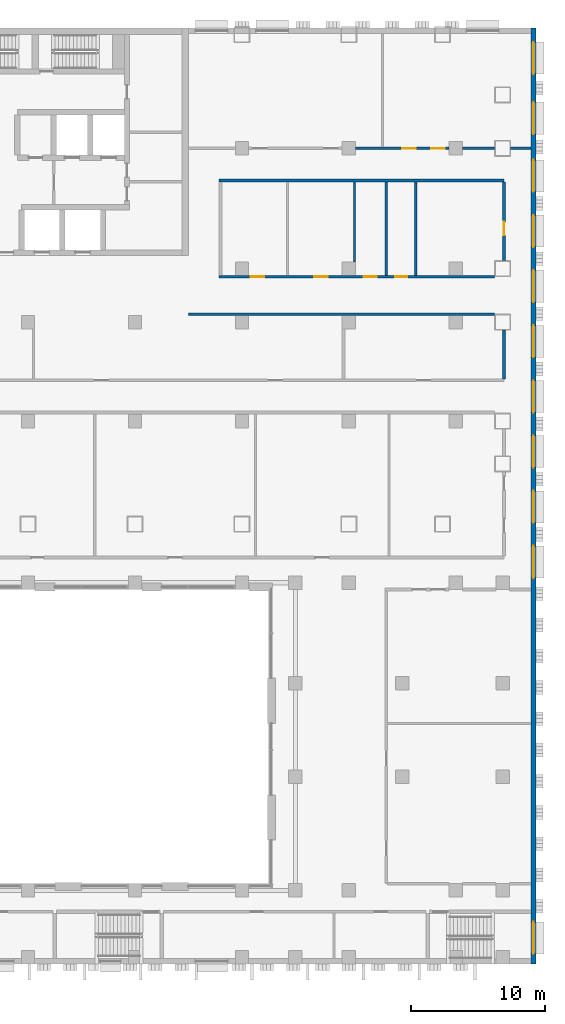
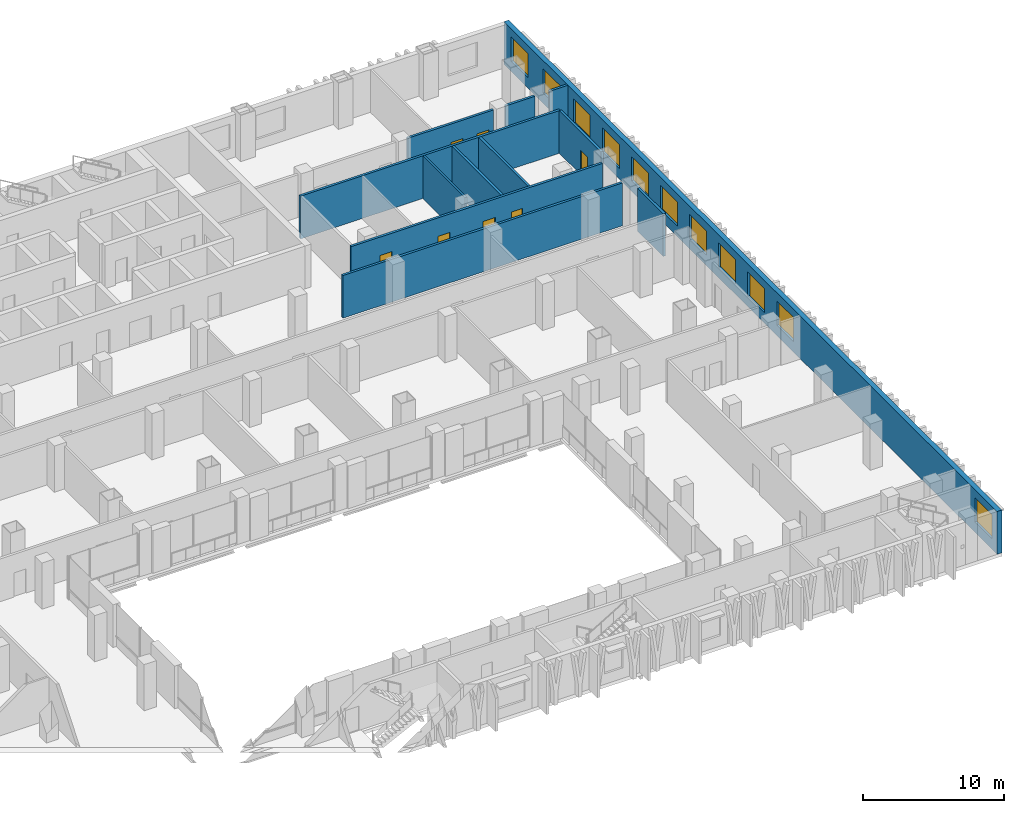
# One storey, part 15 of 25: 12 walls, 11 windows, 7 doors, 18 openings.
"""IFC4 building model written with IfcOpenShell, lengths in metres."""

from ifc_helpers import new_model, si_unit, direction, frame, frame_2d, origin, place, context, subcontext, project, spatial, rectangle, extrude, material, layer, layer_set, type_object, element, fill, save


model = new_model("IFC4")

# Units and contexts
model_context = context("Model", 3, precision=1e-05, world=origin(), true_north=direction((0.0, 1.0)))
body_context = subcontext(model_context, "Body", "Model", "MODEL_VIEW")
ifc_project = project(units=[si_unit("LENGTHUNIT", "METRE"), si_unit("AREAUNIT", "SQUARE_METRE"), si_unit("VOLUMEUNIT", "CUBIC_METRE"), si_unit("PLANEANGLEUNIT", "RADIAN"), si_unit("MASSUNIT", "GRAM", prefix="KILO")], contexts=[model_context])

# Site, building, storey
site_placement = place(None, origin())
site = spatial("IfcSite", under=ifc_project, at=site_placement, CompositionType="ELEMENT")
building_placement = place(site_placement, origin())
building = spatial("IfcBuilding", under=site, at=building_placement, Name="Vidyagriha Tower", CompositionType="ELEMENT")
storey_placement = place(building_placement, frame((0.0, 0.0, 14.0)))
storey = spatial("IfcBuildingStorey", under=building, at=storey_placement, Name="L03", CompositionType="ELEMENT", Elevation=14.0)

# Wall, openings, windows
ifc_material_1 = material(Name="Concrete C40/50 board-marked with brick facing", Category="concrete")
ifc_layer_1 = layer(ifc_material_1, 0.39990234375)
ifc_layer_set_1 = layer_set([ifc_layer_1], Name="Concrete C40/50 board-marked with brick facing")
wall_type_1 = type_object("IfcWallType", Name="Brick-faced board-marked concrete podium wall 400", PredefinedType="STANDARD", material=ifc_layer_set_1)
wall_1_placement = place(storey_placement, frame((39.800048828125, -50.0, 0.0), z_axis=(0.0, 0.0, 1.0), x_axis=(0.0, 1.0, 0.0)))
wall_1 = element("IfcWall", 1, at=wall_1_placement, inside=storey, type_object=wall_type_1, Name="Podium wall L03 R01", PredefinedType="STANDARD", context=body_context, shape_type="SweptSolid", body=[
    extrude(rectangle(XDim=70.0, YDim=0.39990234375, at=frame_2d((35.0, 0.0))), origin(), (0.0, 0.0, 1.0), 3.699951171875),
])
opening_1_placement = place(wall_1_placement, frame((0.75, 0.0, 0.89990234375)))
opening_1 = element("IfcOpeningElement", 2, at=opening_1_placement, cuts=wall_1, Name="Opening WN3", PredefinedType="OPENING", context=body_context, shape_type="SweptSolid", body=[
    extrude(rectangle(XDim=2.39990234375, YDim=2.10009765625, at=frame_2d((1.199951171875, 1.050048828125))), frame((0.0, 0.2099609375, 0.0), z_axis=(0.0, -1.0, 0.0), x_axis=(1.0, 0.0, 0.0)), (0.0, 0.0, 1.0), 0.419921875),
])
opening_2_placement = place(wall_1_placement, frame((28.862548828125, 0.0, 0.89990234375)))
opening_2 = element("IfcOpeningElement", 3, at=opening_2_placement, cuts=wall_1, Name="Opening WN3", PredefinedType="OPENING", context=body_context, shape_type="SweptSolid", body=[
    extrude(rectangle(XDim=2.39990234375, YDim=2.10009765625, at=frame_2d((1.199951171875, 1.050048828125))), frame((0.0, 0.2099609375, 0.0), z_axis=(0.0, -1.0, 0.0), x_axis=(1.0, 0.0, 0.0)), (0.0, 0.0, 1.0), 0.419921875),
])
opening_3_placement = place(wall_1_placement, frame((32.987548828125, 0.0, 0.89990234375)))
opening_3 = element("IfcOpeningElement", 4, at=opening_3_placement, cuts=wall_1, Name="Opening WN3", PredefinedType="OPENING", context=body_context, shape_type="SweptSolid", body=[
    extrude(rectangle(XDim=2.39990234375, YDim=2.10009765625, at=frame_2d((1.199951171875, 1.050048828125))), frame((0.0, 0.2099609375, 0.0), z_axis=(0.0, -1.0, 0.0), x_axis=(1.0, 0.0, 0.0)), (0.0, 0.0, 1.0), 0.419921875),
])
opening_4_placement = place(wall_1_placement, frame((37.112548828125, 0.0, 0.89990234375)))
opening_4 = element("IfcOpeningElement", 5, at=opening_4_placement, cuts=wall_1, Name="Opening WN3", PredefinedType="OPENING", context=body_context, shape_type="SweptSolid", body=[
    extrude(rectangle(XDim=2.39990234375, YDim=2.10009765625, at=frame_2d((1.199951171875, 1.050048828125))), frame((0.0, 0.2099609375, 0.0), z_axis=(0.0, -1.0, 0.0), x_axis=(1.0, 0.0, 0.0)), (0.0, 0.0, 1.0), 0.419921875),
])
opening_5_placement = place(wall_1_placement, frame((41.237548828125, 0.0, 0.89990234375)))
opening_5 = element("IfcOpeningElement", 6, at=opening_5_placement, cuts=wall_1, Name="Opening WN3", PredefinedType="OPENING", context=body_context, shape_type="SweptSolid", body=[
    extrude(rectangle(XDim=2.39990234375, YDim=2.10009765625, at=frame_2d((1.199951171875, 1.050048828125))), frame((0.0, 0.2099609375, 0.0), z_axis=(0.0, -1.0, 0.0), x_axis=(1.0, 0.0, 0.0)), (0.0, 0.0, 1.0), 0.419921875),
])
opening_6_placement = place(wall_1_placement, frame((45.362548828125, 0.0, 0.89990234375)))
opening_6 = element("IfcOpeningElement", 7, at=opening_6_placement, cuts=wall_1, Name="Opening WN3", PredefinedType="OPENING", context=body_context, shape_type="SweptSolid", body=[
    extrude(rectangle(XDim=2.39990234375, YDim=2.10009765625, at=frame_2d((1.199951171875, 1.050048828125))), frame((0.0, 0.2099609375, 0.0), z_axis=(0.0, -1.0, 0.0), x_axis=(1.0, 0.0, 0.0)), (0.0, 0.0, 1.0), 0.419921875),
])
opening_7_placement = place(wall_1_placement, frame((49.487548828125, 0.0, 0.89990234375)))
opening_7 = element("IfcOpeningElement", 8, at=opening_7_placement, cuts=wall_1, Name="Opening WN3", PredefinedType="OPENING", context=body_context, shape_type="SweptSolid", body=[
    extrude(rectangle(XDim=2.39990234375, YDim=2.10009765625, at=frame_2d((1.199951171875, 1.050048828125))), frame((0.0, 0.2099609375, 0.0), z_axis=(0.0, -1.0, 0.0), x_axis=(1.0, 0.0, 0.0)), (0.0, 0.0, 1.0), 0.419921875),
])
opening_8_placement = place(wall_1_placement, frame((53.612548828125, 0.0, 0.89990234375)))
opening_8 = element("IfcOpeningElement", 9, at=opening_8_placement, cuts=wall_1, Name="Opening WN3", PredefinedType="OPENING", context=body_context, shape_type="SweptSolid", body=[
    extrude(rectangle(XDim=2.39990234375, YDim=2.10009765625, at=frame_2d((1.199951171875, 1.050048828125))), frame((0.0, 0.2099609375, 0.0), z_axis=(0.0, -1.0, 0.0), x_axis=(1.0, 0.0, 0.0)), (0.0, 0.0, 1.0), 0.419921875),
])
opening_9_placement = place(wall_1_placement, frame((57.737548828125, 0.0, 0.89990234375)))
opening_9 = element("IfcOpeningElement", 10, at=opening_9_placement, cuts=wall_1, Name="Opening WN3", PredefinedType="OPENING", context=body_context, shape_type="SweptSolid", body=[
    extrude(rectangle(XDim=2.39990234375, YDim=2.10009765625, at=frame_2d((1.199951171875, 1.050048828125))), frame((0.0, 0.2099609375, 0.0), z_axis=(0.0, -1.0, 0.0), x_axis=(1.0, 0.0, 0.0)), (0.0, 0.0, 1.0), 0.419921875),
])
opening_10_placement = place(wall_1_placement, frame((62.050048828125, 0.0, 0.89990234375)))
opening_10 = element("IfcOpeningElement", 11, at=opening_10_placement, cuts=wall_1, Name="Opening WN3", PredefinedType="OPENING", context=body_context, shape_type="SweptSolid", body=[
    extrude(rectangle(XDim=2.39990234375, YDim=2.10009765625, at=frame_2d((1.199951171875, 1.050048828125))), frame((0.0, 0.2099609375, 0.0), z_axis=(0.0, -1.0, 0.0), x_axis=(1.0, 0.0, 0.0)), (0.0, 0.0, 1.0), 0.419921875),
])
opening_11_placement = place(wall_1_placement, frame((66.550048828125, 0.0, 0.89990234375)))
opening_11 = element("IfcOpeningElement", 12, at=opening_11_placement, cuts=wall_1, Name="Opening WN3", PredefinedType="OPENING", context=body_context, shape_type="SweptSolid", body=[
    extrude(rectangle(XDim=2.39990234375, YDim=2.10009765625, at=frame_2d((1.199951171875, 1.050048828125))), frame((0.0, 0.2099609375, 0.0), z_axis=(0.0, -1.0, 0.0), x_axis=(1.0, 0.0, 0.0)), (0.0, 0.0, 1.0), 0.419921875),
])
ifc_material_2 = material(Name="Aluminium and glass window", Category="aluminium")
window_type = type_object("IfcWindowType", Name="Podium school window 2400x2100", PartitioningType="NOTDEFINED", PredefinedType="WINDOW", material=ifc_material_2)
window_1_placement = place(opening_1_placement, origin())
window_1 = element("IfcWindow", 13, at=window_1_placement, inside=storey, type_object=window_type, Name="School window L03 R01.1", OverallHeight=2.10009765625, OverallWidth=2.39990234375, PartitioningType="SINGLE_PANEL", PredefinedType="WINDOW", context=body_context, shape_type="SweptSolid", body=[
    extrude(rectangle(XDim=2.39990234375, YDim=2.10009765625, at=frame_2d((1.199951171875, 1.050048828125))), frame((0.0, 0.030029296875, 0.0), z_axis=(0.0, -1.0, 0.0), x_axis=(1.0, 0.0, 0.0)), (0.0, 0.0, 1.0), 0.06005859375),
])
fill(opening_1, window_1)
window_2_placement = place(opening_2_placement, origin())
window_2 = element("IfcWindow", 14, at=window_2_placement, inside=storey, type_object=window_type, Name="School window L03 R01.10", OverallHeight=2.10009765625, OverallWidth=2.39990234375, PartitioningType="SINGLE_PANEL", PredefinedType="WINDOW", context=body_context, shape_type="SweptSolid", body=[
    extrude(rectangle(XDim=2.39990234375, YDim=2.10009765625, at=frame_2d((1.199951171875, 1.050048828125))), frame((0.0, 0.030029296875, 0.0), z_axis=(0.0, -1.0, 0.0), x_axis=(1.0, 0.0, 0.0)), (0.0, 0.0, 1.0), 0.06005859375),
])
fill(opening_2, window_2)
window_3_placement = place(opening_3_placement, origin())
window_3 = element("IfcWindow", 15, at=window_3_placement, inside=storey, type_object=window_type, Name="School window L03 R01.11", OverallHeight=2.10009765625, OverallWidth=2.39990234375, PartitioningType="SINGLE_PANEL", PredefinedType="WINDOW", context=body_context, shape_type="SweptSolid", body=[
    extrude(rectangle(XDim=2.39990234375, YDim=2.10009765625, at=frame_2d((1.199951171875, 1.050048828125))), frame((0.0, 0.030029296875, 0.0), z_axis=(0.0, -1.0, 0.0), x_axis=(1.0, 0.0, 0.0)), (0.0, 0.0, 1.0), 0.06005859375),
])
fill(opening_3, window_3)
window_4_placement = place(opening_4_placement, origin())
window_4 = element("IfcWindow", 16, at=window_4_placement, inside=storey, type_object=window_type, Name="School window L03 R01.12", OverallHeight=2.10009765625, OverallWidth=2.39990234375, PartitioningType="SINGLE_PANEL", PredefinedType="WINDOW", context=body_context, shape_type="SweptSolid", body=[
    extrude(rectangle(XDim=2.39990234375, YDim=2.10009765625, at=frame_2d((1.199951171875, 1.050048828125))), frame((0.0, 0.030029296875, 0.0), z_axis=(0.0, -1.0, 0.0), x_axis=(1.0, 0.0, 0.0)), (0.0, 0.0, 1.0), 0.06005859375),
])
fill(opening_4, window_4)
window_5_placement = place(opening_5_placement, origin())
window_5 = element("IfcWindow", 17, at=window_5_placement, inside=storey, type_object=window_type, Name="School window L03 R01.13", OverallHeight=2.10009765625, OverallWidth=2.39990234375, PartitioningType="SINGLE_PANEL", PredefinedType="WINDOW", context=body_context, shape_type="SweptSolid", body=[
    extrude(rectangle(XDim=2.39990234375, YDim=2.10009765625, at=frame_2d((1.199951171875, 1.050048828125))), frame((0.0, 0.030029296875, 0.0), z_axis=(0.0, -1.0, 0.0), x_axis=(1.0, 0.0, 0.0)), (0.0, 0.0, 1.0), 0.06005859375),
])
fill(opening_5, window_5)
window_6_placement = place(opening_6_placement, origin())
window_6 = element("IfcWindow", 18, at=window_6_placement, inside=storey, type_object=window_type, Name="School window L03 R01.14", OverallHeight=2.10009765625, OverallWidth=2.39990234375, PartitioningType="SINGLE_PANEL", PredefinedType="WINDOW", context=body_context, shape_type="SweptSolid", body=[
    extrude(rectangle(XDim=2.39990234375, YDim=2.10009765625, at=frame_2d((1.199951171875, 1.050048828125))), frame((0.0, 0.030029296875, 0.0), z_axis=(0.0, -1.0, 0.0), x_axis=(1.0, 0.0, 0.0)), (0.0, 0.0, 1.0), 0.06005859375),
])
fill(opening_6, window_6)
window_7_placement = place(opening_7_placement, origin())
window_7 = element("IfcWindow", 19, at=window_7_placement, inside=storey, type_object=window_type, Name="School window L03 R01.15", OverallHeight=2.10009765625, OverallWidth=2.39990234375, PartitioningType="SINGLE_PANEL", PredefinedType="WINDOW", context=body_context, shape_type="SweptSolid", body=[
    extrude(rectangle(XDim=2.39990234375, YDim=2.10009765625, at=frame_2d((1.199951171875, 1.050048828125))), frame((0.0, 0.030029296875, 0.0), z_axis=(0.0, -1.0, 0.0), x_axis=(1.0, 0.0, 0.0)), (0.0, 0.0, 1.0), 0.06005859375),
])
fill(opening_7, window_7)
window_8_placement = place(opening_8_placement, origin())
window_8 = element("IfcWindow", 20, at=window_8_placement, inside=storey, type_object=window_type, Name="School window L03 R01.16", OverallHeight=2.10009765625, OverallWidth=2.39990234375, PartitioningType="SINGLE_PANEL", PredefinedType="WINDOW", context=body_context, shape_type="SweptSolid", body=[
    extrude(rectangle(XDim=2.39990234375, YDim=2.10009765625, at=frame_2d((1.199951171875, 1.050048828125))), frame((0.0, 0.030029296875, 0.0), z_axis=(0.0, -1.0, 0.0), x_axis=(1.0, 0.0, 0.0)), (0.0, 0.0, 1.0), 0.06005859375),
])
fill(opening_8, window_8)
window_9_placement = place(opening_9_placement, origin())
window_9 = element("IfcWindow", 21, at=window_9_placement, inside=storey, type_object=window_type, Name="School window L03 R01.17", OverallHeight=2.10009765625, OverallWidth=2.39990234375, PartitioningType="SINGLE_PANEL", PredefinedType="WINDOW", context=body_context, shape_type="SweptSolid", body=[
    extrude(rectangle(XDim=2.39990234375, YDim=2.10009765625, at=frame_2d((1.199951171875, 1.050048828125))), frame((0.0, 0.030029296875, 0.0), z_axis=(0.0, -1.0, 0.0), x_axis=(1.0, 0.0, 0.0)), (0.0, 0.0, 1.0), 0.06005859375),
])
fill(opening_9, window_9)
window_10_placement = place(opening_10_placement, origin())
window_10 = element("IfcWindow", 22, at=window_10_placement, inside=storey, type_object=window_type, Name="School window L03 R01.18", OverallHeight=2.10009765625, OverallWidth=2.39990234375, PartitioningType="SINGLE_PANEL", PredefinedType="WINDOW", context=body_context, shape_type="SweptSolid", body=[
    extrude(rectangle(XDim=2.39990234375, YDim=2.10009765625, at=frame_2d((1.199951171875, 1.050048828125))), frame((0.0, 0.030029296875, 0.0), z_axis=(0.0, -1.0, 0.0), x_axis=(1.0, 0.0, 0.0)), (0.0, 0.0, 1.0), 0.06005859375),
])
fill(opening_10, window_10)
window_11_placement = place(opening_11_placement, origin())
window_11 = element("IfcWindow", 23, at=window_11_placement, inside=storey, type_object=window_type, Name="School window L03 R01.19", OverallHeight=2.10009765625, OverallWidth=2.39990234375, PartitioningType="SINGLE_PANEL", PredefinedType="WINDOW", context=body_context, shape_type="SweptSolid", body=[
    extrude(rectangle(XDim=2.39990234375, YDim=2.10009765625, at=frame_2d((1.199951171875, 1.050048828125))), frame((0.0, 0.030029296875, 0.0), z_axis=(0.0, -1.0, 0.0), x_axis=(1.0, 0.0, 0.0)), (0.0, 0.0, 1.0), 0.06005859375),
])
fill(opening_11, window_11)

# Wall
ifc_material_3 = material(Name="Fire rated gypsum board on light gauge framing")
ifc_layer_2 = layer(ifc_material_3, 0.199951171875)
ifc_layer_set_2 = layer_set([ifc_layer_2], Name="Fire rated gypsum board on light gauge framing")
wall_type_2 = type_object("IfcWallType", Name="Fire Rated Corridor Wall 200", PredefinedType="PARTITIONING", material=ifc_layer_set_2)
wall_2_placement = place(storey_placement, frame((14.0, -1.39990234375, 0.0)))
element("IfcWall", 24, at=wall_2_placement, inside=storey, type_object=wall_type_2, Name="L03 Fire Rated Corridor Wall 200 025", PredefinedType="PARTITIONING", context=body_context, shape_type="SweptSolid", body=[
    extrude(rectangle(XDim=22.89990234375, YDim=0.199951171875, at=frame_2d((11.449951171875, 0.0))), origin(), (0.0, 0.0, 1.0), 3.699951171875),
])

# Wall, openings, doors
wall_3_placement = place(storey_placement, frame((16.300048828125, 1.39990234375, 0.0)))
wall_3 = element("IfcWall", 25, at=wall_3_placement, inside=storey, type_object=wall_type_2, Name="L03 Fire Rated Corridor Wall 200 027", PredefinedType="PARTITIONING", context=body_context, shape_type="SweptSolid", body=[
    extrude(rectangle(XDim=20.599853515625, YDim=0.199951171875, at=frame_2d((10.2998046875, 0.0))), origin(), (0.0, 0.0, 1.0), 3.699951171875),
])
opening_12_placement = place(wall_3_placement, frame((2.349853515625, 0.0, 0.0)))
opening_12 = element("IfcOpeningElement", 26, at=opening_12_placement, cuts=wall_3, Name="Opening D03-51", PredefinedType="OPENING", context=body_context, shape_type="SweptSolid", body=[
    extrude(rectangle(XDim=1.0, YDim=2.10009765625, at=frame_2d((0.5, 1.050048828125))), frame((0.0, 0.10986328125, 0.0), z_axis=(0.0, -1.0, 0.0), x_axis=(1.0, 0.0, 0.0)), (0.0, 0.0, 1.0), 0.219970703125),
])
opening_13_placement = place(wall_3_placement, frame((7.099853515625, 0.0, 0.0)))
opening_13 = element("IfcOpeningElement", 27, at=opening_13_placement, cuts=wall_3, Name="Opening D03-52", PredefinedType="OPENING", context=body_context, shape_type="SweptSolid", body=[
    extrude(rectangle(XDim=1.0, YDim=2.10009765625, at=frame_2d((0.5, 1.050048828125))), frame((0.0, 0.10986328125, 0.0), z_axis=(0.0, -1.0, 0.0), x_axis=(1.0, 0.0, 0.0)), (0.0, 0.0, 1.0), 0.219970703125),
])
opening_14_placement = place(wall_3_placement, frame((10.7998046875, 0.0, 0.0)))
opening_14 = element("IfcOpeningElement", 28, at=opening_14_placement, cuts=wall_3, Name="Opening D03-53", PredefinedType="OPENING", context=body_context, shape_type="SweptSolid", body=[
    extrude(rectangle(XDim=1.0, YDim=2.10009765625, at=frame_2d((0.5, 1.050048828125))), frame((0.0, 0.10986328125, 0.0), z_axis=(0.0, -1.0, 0.0), x_axis=(1.0, 0.0, 0.0)), (0.0, 0.0, 1.0), 0.219970703125),
])
opening_15_placement = place(wall_3_placement, frame((13.14990234375, 0.0, 0.0)))
opening_15 = element("IfcOpeningElement", 29, at=opening_15_placement, cuts=wall_3, Name="Opening D03-54", PredefinedType="OPENING", context=body_context, shape_type="SweptSolid", body=[
    extrude(rectangle(XDim=0.89990234375, YDim=2.10009765625, at=frame_2d((0.449951171875, 1.050048828125))), frame((0.0, 0.10986328125, 0.0), z_axis=(0.0, -1.0, 0.0), x_axis=(1.0, 0.0, 0.0)), (0.0, 0.0, 1.0), 0.219970703125),
])
ifc_material_4 = material(Name="Steel fire door set", Category="steel")
door_type_1 = type_object("IfcDoorType", Name="Podium Door 1000x2100 EI 30", OperationType="NOTDEFINED", PredefinedType="DOOR", material=ifc_material_4)
door_1_placement = place(opening_12_placement, origin())
door_1 = element("IfcDoor", 30, at=door_1_placement, inside=storey, type_object=door_type_1, Name="L03 door D03-51", OperationType="SINGLE_SWING_LEFT", OverallHeight=2.10009765625, OverallWidth=1.0, PredefinedType="DOOR", context=body_context, shape_type="SweptSolid", body=[
    extrude(rectangle(XDim=1.0, YDim=2.10009765625, at=frame_2d((0.5, 1.050048828125))), frame((0.0, 0.02490234375, 0.0), z_axis=(0.0, -1.0, 0.0), x_axis=(1.0, 0.0, 0.0)), (0.0, 0.0, 1.0), 0.050048828125),
])
fill(opening_12, door_1)
door_2_placement = place(opening_13_placement, origin())
door_2 = element("IfcDoor", 31, at=door_2_placement, inside=storey, type_object=door_type_1, Name="L03 door D03-52", OperationType="SINGLE_SWING_LEFT", OverallHeight=2.10009765625, OverallWidth=1.0, PredefinedType="DOOR", context=body_context, shape_type="SweptSolid", body=[
    extrude(rectangle(XDim=1.0, YDim=2.10009765625, at=frame_2d((0.5, 1.050048828125))), frame((0.0, 0.02490234375, 0.0), z_axis=(0.0, -1.0, 0.0), x_axis=(1.0, 0.0, 0.0)), (0.0, 0.0, 1.0), 0.050048828125),
])
fill(opening_13, door_2)
door_3_placement = place(opening_14_placement, origin())
door_3 = element("IfcDoor", 32, at=door_3_placement, inside=storey, type_object=door_type_1, Name="L03 door D03-53", OperationType="SINGLE_SWING_RIGHT", OverallHeight=2.10009765625, OverallWidth=1.0, PredefinedType="DOOR", context=body_context, shape_type="SweptSolid", body=[
    extrude(rectangle(XDim=1.0, YDim=2.10009765625, at=frame_2d((0.5, 1.050048828125))), frame((0.0, 0.02490234375, 0.0), z_axis=(0.0, -1.0, 0.0), x_axis=(1.0, 0.0, 0.0)), (0.0, 0.0, 1.0), 0.050048828125),
])
fill(opening_14, door_3)
ifc_material_5 = material(Name="Steel fire door set", Category="steel")
door_type_2 = type_object("IfcDoorType", Name="Podium Door 900x2100 EI 30", OperationType="NOTDEFINED", PredefinedType="DOOR", material=ifc_material_5)
door_4_placement = place(opening_15_placement, origin())
door_4 = element("IfcDoor", 33, at=door_4_placement, inside=storey, type_object=door_type_2, Name="L03 door D03-54", OperationType="SINGLE_SWING_RIGHT", OverallHeight=2.10009765625, OverallWidth=0.89990234375, PredefinedType="DOOR", context=body_context, shape_type="SweptSolid", body=[
    extrude(rectangle(XDim=0.89990234375, YDim=2.10009765625, at=frame_2d((0.449951171875, 1.050048828125))), frame((0.0, 0.02490234375, 0.0), z_axis=(0.0, -1.0, 0.0), x_axis=(1.0, 0.0, 0.0)), (0.0, 0.0, 1.0), 0.050048828125),
])
fill(opening_15, door_4)

# Wall
wall_4_placement = place(storey_placement, frame((16.300048828125, 8.60009765625, 0.0)))
element("IfcWall", 34, at=wall_4_placement, inside=storey, type_object=wall_type_2, Name="L03 Fire Rated Corridor Wall 200 029", PredefinedType="PARTITIONING", context=body_context, shape_type="SweptSolid", body=[
    extrude(rectangle(XDim=21.2998046875, YDim=0.199951171875, at=frame_2d((10.64990234375, 0.0))), origin(), (0.0, 0.0, 1.0), 3.699951171875),
])

# Wall, openings, doors
wall_5_placement = place(storey_placement, frame((26.5, 11.0, 0.0)))
wall_5 = element("IfcWall", 35, at=wall_5_placement, inside=storey, type_object=wall_type_2, Name="L03 Fire Rated Corridor Wall 200 036", PredefinedType="PARTITIONING", context=body_context, shape_type="SweptSolid", body=[
    extrude(rectangle(XDim=7.0, YDim=0.199951171875, at=frame_2d((3.5, 0.0))), origin(), (0.0, 0.0, 1.0), 3.699951171875),
])
opening_16_placement = place(wall_5_placement, frame((3.501953125, 0.0, 0.0)))
opening_16 = element("IfcOpeningElement", 36, at=opening_16_placement, cuts=wall_5, Name="Opening D03-62", PredefinedType="OPENING", context=body_context, shape_type="SweptSolid", body=[
    extrude(rectangle(XDim=1.0, YDim=2.10009765625, at=frame_2d((0.5, 1.050048828125))), frame((0.0, 0.10986328125, 0.0), z_axis=(0.0, -1.0, 0.0), x_axis=(1.0, 0.0, 0.0)), (0.0, 0.0, 1.0), 0.219970703125),
])
opening_17_placement = place(wall_5_placement, frame((5.64990234375, 0.0, 0.0)))
opening_17 = element("IfcOpeningElement", 37, at=opening_17_placement, cuts=wall_5, Name="Opening D03-63", PredefinedType="OPENING", context=body_context, shape_type="SweptSolid", body=[
    extrude(rectangle(XDim=1.0, YDim=2.10009765625, at=frame_2d((0.5, 1.050048828125))), frame((0.0, 0.10986328125, 0.0), z_axis=(0.0, -1.0, 0.0), x_axis=(1.0, 0.0, 0.0)), (0.0, 0.0, 1.0), 0.219970703125),
])
door_5_placement = place(opening_16_placement, origin())
door_5 = element("IfcDoor", 38, at=door_5_placement, inside=storey, type_object=door_type_1, Name="L03 door D03-62", OperationType="SINGLE_SWING_RIGHT", OverallHeight=2.10009765625, OverallWidth=1.0, PredefinedType="DOOR", context=body_context, shape_type="SweptSolid", body=[
    extrude(rectangle(XDim=1.0, YDim=2.10009765625, at=frame_2d((0.5, 1.050048828125))), frame((0.0, 0.02490234375, 0.0), z_axis=(0.0, -1.0, 0.0), x_axis=(1.0, 0.0, 0.0)), (0.0, 0.0, 1.0), 0.050048828125),
])
fill(opening_16, door_5)
door_6_placement = place(opening_17_placement, origin())
door_6 = element("IfcDoor", 39, at=door_6_placement, inside=storey, type_object=door_type_1, Name="L03 door D03-63", OperationType="SINGLE_SWING_RIGHT", OverallHeight=2.10009765625, OverallWidth=1.0, PredefinedType="DOOR", context=body_context, shape_type="SweptSolid", body=[
    extrude(rectangle(XDim=1.0, YDim=2.10009765625, at=frame_2d((0.5, 1.050048828125))), frame((0.0, 0.02490234375, 0.0), z_axis=(0.0, -1.0, 0.0), x_axis=(1.0, 0.0, 0.0)), (0.0, 0.0, 1.0), 0.050048828125),
])
fill(opening_17, door_6)

# Walls
wall_6_placement = place(storey_placement, frame((34.5, 11.0, 0.0)))
element("IfcWall", 40, at=wall_6_placement, inside=storey, type_object=wall_type_2, Name="L03 Fire Rated Corridor Wall 200 037", PredefinedType="PARTITIONING", context=body_context, shape_type="SweptSolid", body=[
    extrude(rectangle(XDim=2.39990234375, YDim=0.199951171875, at=frame_2d((1.199951171875, 0.0))), origin(), (0.0, 0.0, 1.0), 3.699951171875),
])
wall_7_placement = place(storey_placement, frame((38.10009765625, 11.0, 0.0)))
element("IfcWall", 41, at=wall_7_placement, inside=storey, type_object=wall_type_2, Name="L03 Fire Rated Corridor Wall 200 038", PredefinedType="PARTITIONING", context=body_context, shape_type="SweptSolid", body=[
    extrude(rectangle(XDim=1.5, YDim=0.199951171875, at=frame_2d((0.75, 0.0))), origin(), (0.0, 0.0, 1.0), 3.699951171875),
])
for number, where, z_axis, x_axis, name in (
    (42, (28.800048828125, 1.5, 0.0), (0.0, 0.0, 1.0), (0.0, 1.0, 0.0), "L03 Fire Rated Corridor Wall 200 074"),
    (43, (31.0, 1.5, 0.0), (0.0, 0.0, 1.0), (0.0, 1.0, 0.0), "L03 Fire Rated Corridor Wall 200 076"),
):
    element("IfcWall", number, at=place(storey_placement, frame(where, z_axis=z_axis, x_axis=x_axis)), inside=storey, type_object=wall_type_2, Name=name, PredefinedType="PARTITIONING", context=body_context, shape_type="SweptSolid", body=[
        extrude(rectangle(XDim=7.0, YDim=0.199951171875, at=frame_2d((3.5, 0.0))), origin(), (0.0, 0.0, 1.0), 3.699951171875),
    ])
wall_8_placement = place(storey_placement, frame((37.60009765625, -6.25, 0.0), z_axis=(0.0, 0.0, 1.0), x_axis=(0.0, 1.0, 0.0)))
element("IfcWall", 44, at=wall_8_placement, inside=storey, type_object=wall_type_2, Name="L03 Fire Rated Corridor Wall 200 080", PredefinedType="PARTITIONING", context=body_context, shape_type="SweptSolid", body=[
    extrude(rectangle(XDim=3.64990234375, YDim=0.199951171875, at=frame_2d((1.824951171875, 0.0))), origin(), (0.0, 0.0, 1.0), 3.699951171875),
])

# Wall, opening, door
wall_9_placement = place(storey_placement, frame((37.60009765625, 2.60009765625, 0.0), z_axis=(0.0, 0.0, 1.0), x_axis=(0.0, 1.0, 0.0)))
wall_9 = element("IfcWall", 45, at=wall_9_placement, inside=storey, type_object=wall_type_2, Name="L03 Fire Rated Corridor Wall 200 081", PredefinedType="PARTITIONING", context=body_context, shape_type="SweptSolid", body=[
    extrude(rectangle(XDim=5.89990234375, YDim=0.199951171875, at=frame_2d((2.949951171875, 0.0))), origin(), (0.0, 0.0, 1.0), 3.699951171875),
])
opening_18_placement = place(wall_9_placement, frame((1.89990234375, 0.0, 0.0)))
opening_18 = element("IfcOpeningElement", 46, at=opening_18_placement, cuts=wall_9, Name="Opening D03-55", PredefinedType="OPENING", context=body_context, shape_type="SweptSolid", body=[
    extrude(rectangle(XDim=1.0, YDim=2.10009765625, at=frame_2d((0.5, 1.050048828125))), frame((0.0, 0.10986328125, 0.0), z_axis=(0.0, -1.0, 0.0), x_axis=(1.0, 0.0, 0.0)), (0.0, 0.0, 1.0), 0.219970703125),
])
door_7_placement = place(opening_18_placement, origin())
door_7 = element("IfcDoor", 47, at=door_7_placement, inside=storey, type_object=door_type_1, Name="L03 door D03-55", OperationType="SINGLE_SWING_LEFT", OverallHeight=2.10009765625, OverallWidth=1.0, PredefinedType="DOOR", context=body_context, shape_type="SweptSolid", body=[
    extrude(rectangle(XDim=1.0, YDim=2.10009765625, at=frame_2d((0.5, 1.050048828125))), frame((0.0, 0.02490234375, 0.0), z_axis=(0.0, -1.0, 0.0), x_axis=(1.0, 0.0, 0.0)), (0.0, 0.0, 1.0), 0.050048828125),
])
fill(opening_18, door_7)

# Wall
ifc_material_6 = material(Name="Gypsum board on light gauge framing")
ifc_layer_3 = layer(ifc_material_6, 0.14990234375)
ifc_layer_set_3 = layer_set([ifc_layer_3], Name="Gypsum board on light gauge framing")
wall_type_3 = type_object("IfcWallType", Name="Gypsum Board Partition 150", PredefinedType="PARTITIONING", material=ifc_layer_set_3)
wall_10_placement = place(storey_placement, frame((26.39990234375, 2.5, 0.0), z_axis=(0.0, 0.0, 1.0), x_axis=(0.0, 1.0, 0.0)))
element("IfcWall", 48, at=wall_10_placement, inside=storey, type_object=wall_type_3, Name="L03 Gypsum Board Partition 150 071", PredefinedType="PARTITIONING", context=body_context, shape_type="SweptSolid", body=[
    extrude(rectangle(XDim=6.0, YDim=0.14990234375, at=frame_2d((3.0, 0.0))), origin(), (0.0, 0.0, 1.0), 3.699951171875),
])

save(model, "model.ifc")
